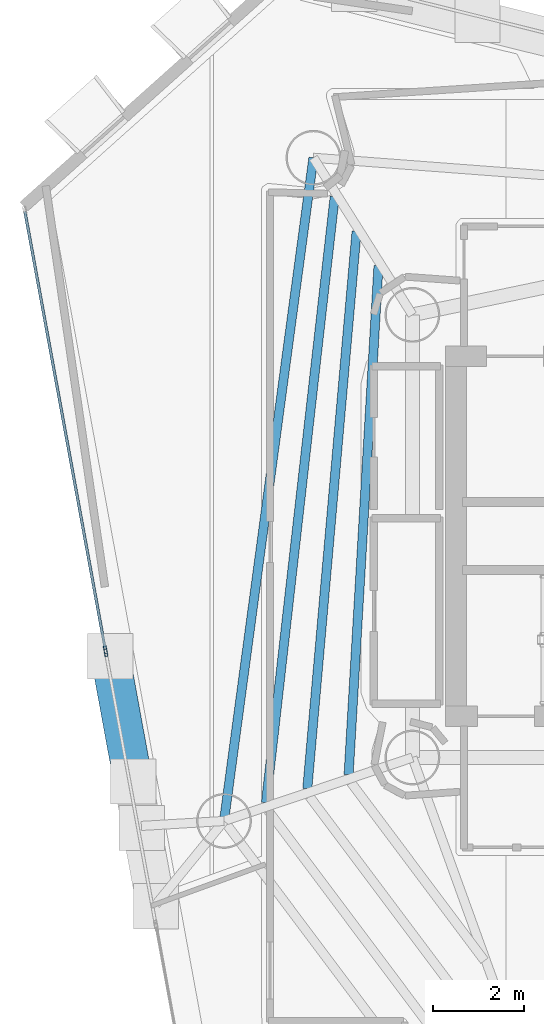
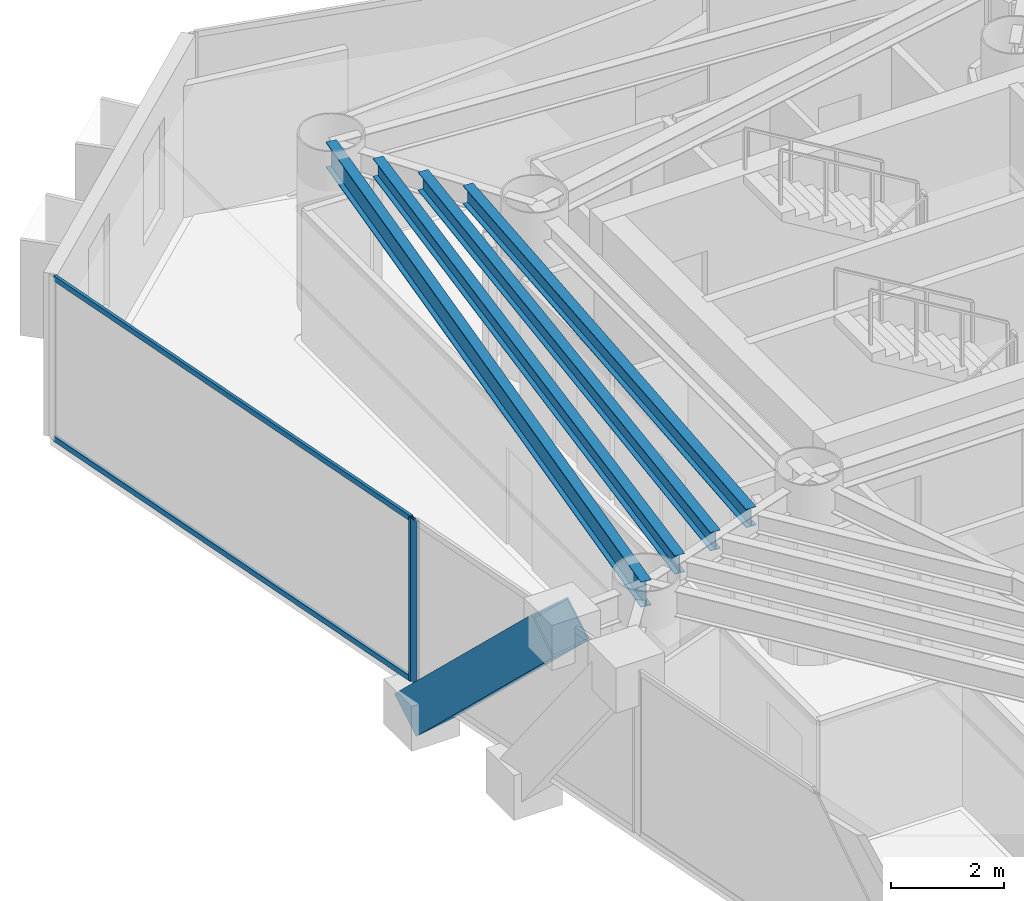
# One storey, part 9 of 23: 5 members, 4 beams, 2 elements without a shape of their own.
"""IFC4 building model written with IfcOpenShell, lengths in metres."""

import ifcopenshell
import ifcopenshell.guid

model = None  # the IFC model being written
_history = None  # IfcOwnerHistory: only IFC2X3 demands one
_inside = {}  # id of a spatial element -> (the spatial element, [elements in it])
_under = {}  # id of a project, library or spatial element -> (it, [spatial elements below it])
_declared = {}  # id of a project -> (the project, [libraries it declares])
_typed = {}  # id of a type object -> (the type object, [elements of that type])
_made_of = {}  # id of a material, layer set ... -> (it, [elements and type objects made of it])


def new_model(schema):
    """Start an empty IFC model of exactly this schema.

    Asked for "IFC4X3", IfcOpenShell would pick the latest addendum, in which some entities
    have other attributes; the version numbers below select the first issue.
    IFC2X3 requires an IfcOwnerHistory on every rooted entity: one is made here for all.
    """
    global model, _history
    if schema == "IFC4X3":
        model = ifcopenshell.file(schema_version=(4, 3, 0, 0))
    else:
        model = ifcopenshell.file(schema=schema)
    _inside.clear()
    _under.clear()
    _declared.clear()
    _typed.clear()
    _made_of.clear()
    _history = None
    if model.schema == "IFC2X3":
        org = make("IfcOrganization", Name="unknown")
        user = make(
            "IfcPersonAndOrganization",
            ThePerson=make("IfcPerson", FamilyName="unknown"),
            TheOrganization=org,
        )
        app = make(
            "IfcApplication",
            ApplicationDeveloper=org,
            Version="unknown",
            ApplicationFullName="unknown",
            ApplicationIdentifier="unknown",
        )
        _history = make(
            "IfcOwnerHistory",
            OwningUser=user,
            OwningApplication=app,
            ChangeAction="ADDED",
            CreationDate=0,
        )
    return model


def make(cls, **values):
    """One entity of the class cls with the attributes given. An attribute that is None is left unset."""
    return model.create_entity(
        cls, **{name: value for name, value in values.items() if value is not None}
    )


def rooted(cls, **values):
    """An entity with a GlobalId (a new one), such as an element, a storey or a relation."""
    return make(cls, GlobalId=ifcopenshell.guid.new(), OwnerHistory=_history, **values)


def si_unit(unit_type, name, prefix=None):
    """IfcSIUnit, for example si_unit("LENGTHUNIT", "METRE", prefix="MILLI")."""
    return make("IfcSIUnit", UnitType=unit_type, Prefix=prefix, Name=name)


def assignment(units):
    """IfcUnitAssignment: the units of a project."""
    return None if units is None else make("IfcUnitAssignment", Units=units)


def point(xyz):
    """IfcCartesianPoint."""
    return None if xyz is None else make("IfcCartesianPoint", Coordinates=xyz)


def direction(xyz):
    """IfcDirection."""
    return None if xyz is None else make("IfcDirection", DirectionRatios=xyz)


def frame(location, z_axis=None, x_axis=None):
    """IfcAxis2Placement3D, a coordinate frame: its origin and axes. An axis left out is left unset."""
    return make(
        "IfcAxis2Placement3D",
        Location=point(location),
        Axis=direction(z_axis),
        RefDirection=direction(x_axis),
    )


def frame_2d(location, x_axis=None):
    """IfcAxis2Placement2D, a coordinate frame in the plane: its origin and x axis."""
    return make(
        "IfcAxis2Placement2D", Location=point(location), RefDirection=direction(x_axis)
    )


def origin():
    """The frame at (0, 0, 0) with its axes left unset."""
    return frame((0.0, 0.0, 0.0))


def origin_2d():
    """The frame at (0, 0) in the plane with its x axis left unset."""
    return frame_2d((0.0, 0.0))


def place(relative_to, where):
    """IfcLocalPlacement: puts the frame where relative to a parent placement (None: the world)."""
    return make(
        "IfcLocalPlacement", PlacementRelTo=relative_to, RelativePlacement=where
    )


def context(
    kind, dimensions, precision=None, world=None, true_north=None, identifier=None
):
    """IfcGeometricRepresentationContext, for example the 3D "Model" context."""
    return make(
        "IfcGeometricRepresentationContext",
        ContextIdentifier=identifier,
        ContextType=kind,
        CoordinateSpaceDimension=dimensions,
        Precision=precision,
        WorldCoordinateSystem=world,
        TrueNorth=true_north,
    )


def subcontext(parent, identifier, kind, view, scale=None):
    """IfcGeometricRepresentationSubContext, for example "Body" below "Model"."""
    return make(
        "IfcGeometricRepresentationSubContext",
        ContextIdentifier=identifier,
        ContextType=kind,
        ParentContext=parent,
        TargetScale=scale,
        TargetView=view,
    )


def project(units=None, contexts=None):
    """IfcProject with its units and contexts."""
    return rooted(
        "IfcProject",
        Name="project",
        RepresentationContexts=contexts,
        UnitsInContext=assignment(units),
    )


def spatial(cls, under=None, at=None, **own):
    """A site, building, storey or space (cls), placed at a placement, below another one or the project."""
    s = rooted(cls, ObjectPlacement=at, **own)
    if under is not None:
        _under.setdefault(under.id(), (under, []))[1].append(s)
    return s


def profile(cls, at=None, kind="AREA", **sizes):
    """A parametric profile (cls). Its sizes go by their IFC names, for example OverallWidth=200.0."""
    return make(cls, ProfileType=kind, Position=at, **sizes)


def hollow_rectangle(**sizes):
    """IfcRectangleHollowProfileDef."""
    return profile("IfcRectangleHollowProfileDef", **sizes)


def i_section(**sizes):
    """IfcIShapeProfileDef."""
    return profile("IfcIShapeProfileDef", **sizes)


def extrude(swept, where, along, depth):
    """IfcExtrudedAreaSolid: the profile swept, set in the frame where, extruded along a direction by depth."""
    return make(
        "IfcExtrudedAreaSolid",
        SweptArea=swept,
        Position=where,
        ExtrudedDirection=direction(along),
        Depth=depth,
    )


def shape(context_of_items, identifier, shape_type, items):
    """IfcShapeRepresentation: the items that make up one representation, for example the "Body"."""
    return make(
        "IfcShapeRepresentation",
        ContextOfItems=context_of_items,
        RepresentationIdentifier=identifier,
        RepresentationType=shape_type,
        Items=items,
    )


def material(Name=None, Category=None):
    """IfcMaterial."""
    return make("IfcMaterial", Name=Name, Category=Category)


def layer(
    of_material, thickness, ventilated=None, Name=None, Category=None, Priority=None
):
    """IfcMaterialLayer: one layer of a wall or slab, of a material (None: an air gap)."""
    return make(
        "IfcMaterialLayer",
        Material=of_material,
        LayerThickness=thickness,
        IsVentilated=ventilated,
        Name=Name,
        Category=Category,
        Priority=Priority,
    )


def layer_set(layers, Name=None):
    """IfcMaterialLayerSet."""
    return make("IfcMaterialLayerSet", MaterialLayers=layers, LayerSetName=Name)


def material_profile(
    of_material, cross_section, Name=None, Category=None, Priority=None
):
    """IfcMaterialProfile: a cross section and its material."""
    return make(
        "IfcMaterialProfile",
        Name=Name,
        Material=of_material,
        Profile=cross_section,
        Priority=Priority,
        Category=Category,
    )


def profile_set(profiles, Name=None, composite=None):
    """IfcMaterialProfileSet."""
    return make(
        "IfcMaterialProfileSet",
        Name=Name,
        MaterialProfiles=profiles,
        CompositeProfile=composite,
    )


def made_of(thing, what):
    """Note that an element or type object is made of a material, layer set ...; save() writes the relation."""
    if what is not None:
        _made_of.setdefault(what.id(), (what, []))[1].append(thing)
    return thing


def type_object(cls, material=None, **own):
    """A type object (cls), such as IfcWallType, which elements share."""
    return made_of(rooted(cls, **own), material)


def element(
    cls,
    number,
    at=None,
    inside=None,
    cuts=None,
    type_object=None,
    material=None,
    context=None,
    identifier="Body",
    shape_type=None,
    held_by="IfcProductDefinitionShape",
    body=None,
    shapes=None,
    **own,
):
    """One element of the class cls, such as IfcWall. Its Tag is "e" and its number.

    at: its placement. inside: the storey or other place that contains it. cuts: it is an
    opening in that element (IfcRelVoidsElement). A single representation is given by context,
    identifier, shape_type and body (its items); several are given by shapes. held_by: the class
    of the entity that holds the representations. save() writes the other relations.
    """
    e = rooted(cls, Tag="e%d" % number, ObjectPlacement=at, **own)
    if body is not None:
        shapes = [shape(context, identifier, shape_type, body)]
    if shapes is not None:
        e.Representation = make(held_by, Representations=shapes)
    if inside is not None:
        _inside.setdefault(inside.id(), (inside, []))[1].append(e)
    if cuts is not None:
        rooted(
            "IfcRelVoidsElement", RelatingBuildingElement=cuts, RelatedOpeningElement=e
        )
    if type_object is not None:
        _typed.setdefault(type_object.id(), (type_object, []))[1].append(e)
    return made_of(e, material)


def aggregate(whole, parts):
    """IfcRelAggregates: a whole, such as a stair, and the parts it consists of."""
    return rooted("IfcRelAggregates", RelatingObject=whole, RelatedObjects=parts)


def save(model, path):
    """Write the relations noted so far, then the file.

    IfcRelAggregates (storeys below a building ...), IfcRelContainedInSpatialStructure (elements
    in a storey), IfcRelDefinesByType, IfcRelAssociatesMaterial and IfcRelDeclares: one each for
    every whole, place, type object, material and project.
    """
    for whole, parts in _under.values():
        aggregate(whole, parts)
    for where, things in _inside.values():
        rooted(
            "IfcRelContainedInSpatialStructure",
            RelatedElements=things,
            RelatingStructure=where,
        )
    for kind, things in _typed.values():
        rooted("IfcRelDefinesByType", RelatedObjects=things, RelatingType=kind)
    for what, things in _made_of.values():
        rooted("IfcRelAssociatesMaterial", RelatedObjects=things, RelatingMaterial=what)
    for by, libraries in _declared.values():
        rooted("IfcRelDeclares", RelatingContext=by, RelatedDefinitions=libraries)
    model.write(path)


model = new_model("IFC4")

# Units and contexts
model_context = context("Model", 3, precision=1e-05, world=origin(), true_north=direction((0.0, 1.0)))
body_context = subcontext(model_context, "Body", "Model", "MODEL_VIEW")
ifc_project = project(units=[si_unit("LENGTHUNIT", "METRE"), si_unit("AREAUNIT", "SQUARE_METRE"), si_unit("VOLUMEUNIT", "CUBIC_METRE"), si_unit("PLANEANGLEUNIT", "RADIAN"), si_unit("MASSUNIT", "GRAM", prefix="KILO")], contexts=[model_context])

# Site, building, storey
site_placement = place(None, origin())
site = spatial("IfcSite", under=ifc_project, at=site_placement, CompositionType="ELEMENT")
building_placement = place(site_placement, origin())
building = spatial("IfcBuilding", under=site, at=building_placement, Name="Qianvela Tower", CompositionType="ELEMENT")
storey_placement = place(building_placement, frame((0.0, 0.0, 192.89990234375)))
storey = spatial("IfcBuildingStorey", under=building, at=storey_placement, Name="L49", CompositionType="ELEMENT", Elevation=192.89990234375)

# Beams
ifc_material_1 = material(Name="Steel Q355B", Category="steel")
ifc_material_profile_1 = material_profile(ifc_material_1, i_section(OverallWidth=0.199951171875, OverallDepth=0.39990234375, WebThickness=0.008056640625, FlangeThickness=0.012939453125, at=origin_2d()), Name="HN400x200x8x13")
ifc_profile_set_1 = profile_set([ifc_material_profile_1], Name="Steel Q355B")
beam_type_1 = type_object("IfcBeamType", Name="BM-HN400-JOIST", PredefinedType="JOIST", material=ifc_profile_set_1)
beam_1_placement = place(storey_placement, frame((27.85693359375, 34.62451171875, 3.318115234375), z_axis=(-0.05861696358, -0.998280547532, 0.0), x_axis=(0.998280547532, -0.05861696358, 0.0)))
element("IfcBeam", 1, at=beam_1_placement, inside=storey, type_object=beam_type_1, Name="L49 Secondary Composite Floor Joist 3.1", PredefinedType="JOIST", context=body_context, shape_type="SweptSolid", body=[
    extrude(i_section(OverallWidth=0.199951171875, OverallDepth=0.39990234375, WebThickness=0.008056640625, FlangeThickness=0.012939453125, at=origin_2d()), origin(), (0.0, 0.0, 1.0), 11.170654296875),
])
beam_2_placement = place(storey_placement, frame((27.376953125, 35.3818359375, 3.318115234375), z_axis=(-0.088081491788, -0.996113272075, 0.0), x_axis=(0.996113272075, -0.088081491788, 0.0)))
element("IfcBeam", 2, at=beam_2_placement, inside=storey, type_object=beam_type_1, Name="L49 Secondary Composite Floor Joist 3.2", PredefinedType="JOIST", context=body_context, shape_type="SweptSolid", body=[
    extrude(i_section(OverallWidth=0.199951171875, OverallDepth=0.39990234375, WebThickness=0.008056640625, FlangeThickness=0.012939453125, at=origin_2d()), origin(), (0.0, 0.0, 1.0), 12.26220703125),
])
beam_3_placement = place(storey_placement, frame((26.8974609375, 36.139404296875, 3.318115234375), z_axis=(-0.112721124494, -0.993626664343, 0.0), x_axis=(0.993626664343, -0.112721124494, 0.0)))
element("IfcBeam", 3, at=beam_3_placement, inside=storey, type_object=beam_type_1, Name="L49 Secondary Composite Floor Joist 3.3", PredefinedType="JOIST", context=body_context, shape_type="SweptSolid", body=[
    extrude(i_section(OverallWidth=0.199951171875, OverallDepth=0.39990234375, WebThickness=0.008056640625, FlangeThickness=0.012939453125, at=origin_2d()), origin(), (0.0, 0.0, 1.0), 13.363525390625),
])
ifc_material_2 = material(Name="Steel Q355B", Category="steel")
ifc_material_profile_2 = material_profile(ifc_material_2, i_section(OverallWidth=0.199951171875, OverallDepth=0.550048828125, WebThickness=0.010009765625, FlangeThickness=0.01611328125, at=origin_2d()), Name="HN550x200x10x16")
ifc_profile_set_2 = profile_set([ifc_material_profile_2], Name="Steel Q355B")
beam_type_2 = type_object("IfcBeamType", Name="BM-HN550-GIRD", PredefinedType="BEAM", material=ifc_profile_set_2)
beam_4_placement = place(storey_placement, frame((26.430908203125, 36.991943359375, 3.2431640625), z_axis=(-0.133596613255, -0.991035793968, 0.0), x_axis=(0.991035793968, -0.133596613255, 0.0)))
element("IfcBeam", 4, at=beam_4_placement, inside=storey, type_object=beam_type_2, Name="L49 Perimeter Ring Spandrel Girder 3", PredefinedType="BEAM", context=body_context, shape_type="SweptSolid", body=[
    extrude(i_section(OverallWidth=0.199951171875, OverallDepth=0.550048828125, WebThickness=0.010009765625, FlangeThickness=0.01611328125, at=origin_2d()), origin(), (0.0, 0.0, 1.0), 14.663330078125),
])

# Curtain wall, member
ifc_material_3 = material(Name="Anodised Architectural Aluminium and Insulated Spandrel Panel", Category="aluminium")
ifc_layer_1 = layer(ifc_material_3, 0.179931640625)
ifc_layer_set_1 = layer_set([ifc_layer_1], Name="Anodised Architectural Aluminium and Insulated Spandrel Panel")
curtain_wall_type_1 = type_object("IfcCurtainWallType", Name="CW-BRACEBAY", PredefinedType="USERDEFINED", material=ifc_layer_set_1)
curtain_wall_1_placement = place(storey_placement, origin())
curtain_wall_1 = element("IfcCurtainWall", 5, at=curtain_wall_1_placement, inside=storey, type_object=curtain_wall_type_1, Name="L49 CW-BRACEBAY Curtain Wall 04B", ObjectType="CURTAIN_WALL_SYSTEM", PredefinedType="USERDEFINED")
ifc_material_4 = material(Name="Anodised Architectural Aluminium 6063-T6", Category="aluminium")
ifc_material_profile_3 = material_profile(ifc_material_4, hollow_rectangle(XDim=0.06494140625, YDim=0.159912109375, WallThickness=0.0048828125, at=origin_2d()), Name="ALU-MULL-65x160")
ifc_profile_set_3 = profile_set([ifc_material_profile_3], Name="Anodised Architectural Aluminium 6063-T6")
member_type_1 = type_object("IfcMemberType", Name="CW-BRACEBAY-MULL", PredefinedType="MULLION", material=ifc_profile_set_3)
member_1_placement = place(storey_placement, frame((21.88330078125, 26.146484375, 0.0), z_axis=(0.0, 0.0, 1.0), x_axis=(0.983570540813, 0.180524212353, 0.0)))
member_1 = element("IfcMember", 6, at=member_1_placement, type_object=member_type_1, Name="CW-9 mullion 1", PredefinedType="MULLION", context=body_context, shape_type="SweptSolid", body=[
    extrude(hollow_rectangle(XDim=0.06494140625, YDim=0.159912109375, WallThickness=0.0048828125, at=origin_2d()), origin(), (0.0, 0.0, 1.0), 3.52001953125),
])
aggregate(curtain_wall_1, [member_1])

# Curtain wall, members
ifc_material_5 = material(Name="Anodised Architectural Aluminium and Low-E Glass", Category="aluminium")
ifc_layer_2 = layer(ifc_material_5, 0.159912109375)
ifc_layer_set_2 = layer_set([ifc_layer_2], Name="Anodised Architectural Aluminium and Low-E Glass")
curtain_wall_type_2 = type_object("IfcCurtainWallType", Name="CW-COLIV-Z56", PredefinedType="USERDEFINED", material=ifc_layer_set_2)
curtain_wall_2_placement = place(storey_placement, origin())
curtain_wall_2 = element("IfcCurtainWall", 7, at=curtain_wall_2_placement, inside=storey, type_object=curtain_wall_type_2, Name="L49 CW-COLIV-Z56 Curtain Wall 04A", ObjectType="CURTAIN_WALL_SYSTEM", PredefinedType="USERDEFINED")
ifc_material_6 = material(Name="Anodised Architectural Aluminium 6063-T6", Category="aluminium")
ifc_material_profile_4 = material_profile(ifc_material_6, hollow_rectangle(XDim=0.06494140625, YDim=0.159912109375, WallThickness=0.0048828125, at=origin_2d()), Name="ALU-MULL-65x160")
ifc_profile_set_4 = profile_set([ifc_material_profile_4], Name="Anodised Architectural Aluminium 6063-T6")
member_type_2 = type_object("IfcMemberType", Name="CW-COLIV-Z56-MULL", PredefinedType="MULLION", material=ifc_profile_set_4)
member_2_placement = place(storey_placement, frame((21.87158203125, 26.21044921875, 0.0), z_axis=(0.0, 0.0, 1.0), x_axis=(0.98357176026, 0.180517568176, 0.0)))
member_2 = element("IfcMember", 8, at=member_2_placement, type_object=member_type_2, Name="CW-5 mullion 2", PredefinedType="MULLION", context=body_context, shape_type="SweptSolid", body=[
    extrude(hollow_rectangle(XDim=0.06494140625, YDim=0.159912109375, WallThickness=0.0048828125, at=origin_2d()), origin(), (0.0, 0.0, 1.0), 3.52001953125),
])
ifc_material_7 = material(Name="Anodised Architectural Aluminium 6063-T6", Category="aluminium")
ifc_material_profile_5 = material_profile(ifc_material_7, hollow_rectangle(XDim=0.06005859375, YDim=0.114990234375, WallThickness=0.00390625, at=origin_2d()), Name="ALU-TRAN-60x115")
ifc_profile_set_5 = profile_set([ifc_material_profile_5], Name="Anodised Architectural Aluminium 6063-T6")
member_type_3 = type_object("IfcMemberType", Name="CW-COLIV-Z56-TRAN", PredefinedType="USERDEFINED", material=ifc_profile_set_5)
member_3_placement = place(storey_placement, frame((20.109130859375, 35.8125, 0.030029296875), z_axis=(0.180534613271, -0.983568631775, 0.0), x_axis=(0.983568631775, 0.180534613271, 0.0)))
member_3 = element("IfcMember", 9, at=member_3_placement, type_object=member_type_3, Name="CW-5 transom 1.1", ObjectType="TRANSOM", PredefinedType="USERDEFINED", context=body_context, shape_type="SweptSolid", body=[
    extrude(hollow_rectangle(XDim=0.06005859375, YDim=0.114990234375, WallThickness=0.00390625, at=origin_2d()), origin(), (0.0, 0.0, 1.0), 9.72998046875),
])
member_4_placement = place(storey_placement, frame((20.109130859375, 35.8125, 3.489990234375), z_axis=(0.180534613271, -0.983568631775, 0.0), x_axis=(0.983568631775, 0.180534613271, 0.0)))
member_4 = element("IfcMember", 10, at=member_4_placement, type_object=member_type_3, Name="CW-5 transom 1.2", ObjectType="TRANSOM", PredefinedType="USERDEFINED", context=body_context, shape_type="SweptSolid", body=[
    extrude(hollow_rectangle(XDim=0.06005859375, YDim=0.114990234375, WallThickness=0.00390625, at=origin_2d()), origin(), (0.0, 0.0, 1.0), 9.72998046875),
])
aggregate(curtain_wall_2, [member_2, member_3, member_4])

# Member
ifc_material_8 = material(Name="Steel Q420GJC", Category="steel")
ifc_material_profile_6 = material_profile(ifc_material_8, hollow_rectangle(XDim=0.85009765625, YDim=0.85009765625, WallThickness=0.031982421875, at=origin_2d()), Name="MBOX-850x850x32")
ifc_profile_set_6 = profile_set([ifc_material_profile_6], Name="Steel Q420GJC")
member_type_4 = type_object("IfcMemberType", Name="MBR-MBRACE-850", PredefinedType="BRACE", material=ifc_profile_set_6)
member_5_placement = place(storey_placement, frame((21.986572265625, 26.026611328125, -0.48193359375), z_axis=(0.128278577948, -0.698916291146, 0.703605446547), x_axis=(0.983570612625, 0.18052382109, 0.0)))
element("IfcMember", 11, at=member_5_placement, inside=storey, type_object=member_type_4, Name="L49 Tier 8 Exterior Mega-Brace F2A", PredefinedType="BRACE", context=body_context, shape_type="SweptSolid", body=[
    extrude(hollow_rectangle(XDim=0.85009765625, YDim=0.85009765625, WallThickness=0.031982421875, at=origin_2d()), origin(), (0.0, 0.0, 1.0), 5.258544921875),
])

save(model, "model.ifc")
